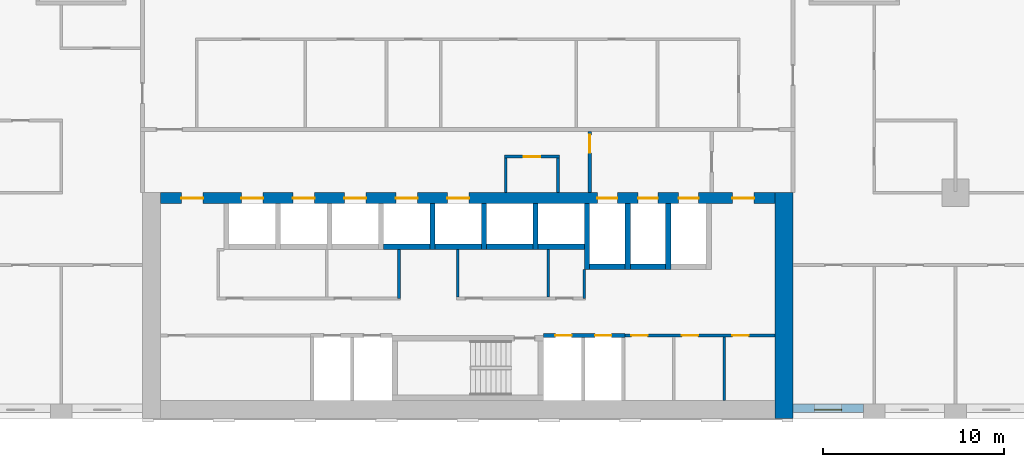
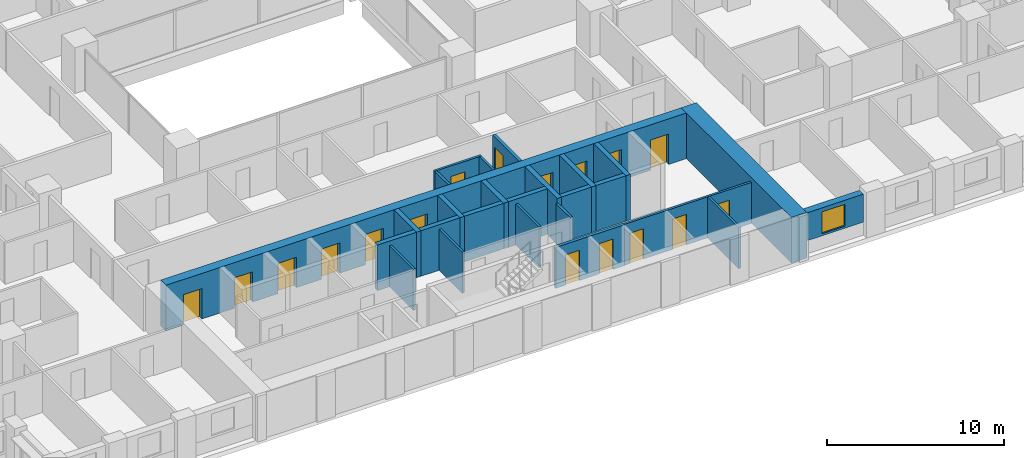
# One storey, part 11 of 20: 26 walls, 17 doors, 1 window, 18 openings.
"""IFC4 building model written with IfcOpenShell, lengths in metres."""

import ifcopenshell
import ifcopenshell.guid

model = None  # the IFC model being written
_history = None  # IfcOwnerHistory: only IFC2X3 demands one
_inside = {}  # id of a spatial element -> (the spatial element, [elements in it])
_under = {}  # id of a project, library or spatial element -> (it, [spatial elements below it])
_declared = {}  # id of a project -> (the project, [libraries it declares])
_typed = {}  # id of a type object -> (the type object, [elements of that type])
_made_of = {}  # id of a material, layer set ... -> (it, [elements and type objects made of it])


def new_model(schema):
    """Start an empty IFC model of exactly this schema.

    Asked for "IFC4X3", IfcOpenShell would pick the latest addendum, in which some entities
    have other attributes; the version numbers below select the first issue.
    IFC2X3 requires an IfcOwnerHistory on every rooted entity: one is made here for all.
    """
    global model, _history
    if schema == "IFC4X3":
        model = ifcopenshell.file(schema_version=(4, 3, 0, 0))
    else:
        model = ifcopenshell.file(schema=schema)
    _inside.clear()
    _under.clear()
    _declared.clear()
    _typed.clear()
    _made_of.clear()
    _history = None
    if model.schema == "IFC2X3":
        org = make("IfcOrganization", Name="unknown")
        user = make(
            "IfcPersonAndOrganization",
            ThePerson=make("IfcPerson", FamilyName="unknown"),
            TheOrganization=org,
        )
        app = make(
            "IfcApplication",
            ApplicationDeveloper=org,
            Version="unknown",
            ApplicationFullName="unknown",
            ApplicationIdentifier="unknown",
        )
        _history = make(
            "IfcOwnerHistory",
            OwningUser=user,
            OwningApplication=app,
            ChangeAction="ADDED",
            CreationDate=0,
        )
    return model


def make(cls, **values):
    """One entity of the class cls with the attributes given. An attribute that is None is left unset."""
    return model.create_entity(
        cls, **{name: value for name, value in values.items() if value is not None}
    )


def rooted(cls, **values):
    """An entity with a GlobalId (a new one), such as an element, a storey or a relation."""
    return make(cls, GlobalId=ifcopenshell.guid.new(), OwnerHistory=_history, **values)


def si_unit(unit_type, name, prefix=None):
    """IfcSIUnit, for example si_unit("LENGTHUNIT", "METRE", prefix="MILLI")."""
    return make("IfcSIUnit", UnitType=unit_type, Prefix=prefix, Name=name)


def assignment(units):
    """IfcUnitAssignment: the units of a project."""
    return None if units is None else make("IfcUnitAssignment", Units=units)


def point(xyz):
    """IfcCartesianPoint."""
    return None if xyz is None else make("IfcCartesianPoint", Coordinates=xyz)


def direction(xyz):
    """IfcDirection."""
    return None if xyz is None else make("IfcDirection", DirectionRatios=xyz)


def frame(location, z_axis=None, x_axis=None):
    """IfcAxis2Placement3D, a coordinate frame: its origin and axes. An axis left out is left unset."""
    return make(
        "IfcAxis2Placement3D",
        Location=point(location),
        Axis=direction(z_axis),
        RefDirection=direction(x_axis),
    )


def frame_2d(location, x_axis=None):
    """IfcAxis2Placement2D, a coordinate frame in the plane: its origin and x axis."""
    return make(
        "IfcAxis2Placement2D", Location=point(location), RefDirection=direction(x_axis)
    )


def origin():
    """The frame at (0, 0, 0) with its axes left unset."""
    return frame((0.0, 0.0, 0.0))


def place(relative_to, where):
    """IfcLocalPlacement: puts the frame where relative to a parent placement (None: the world)."""
    return make(
        "IfcLocalPlacement", PlacementRelTo=relative_to, RelativePlacement=where
    )


def context(
    kind, dimensions, precision=None, world=None, true_north=None, identifier=None
):
    """IfcGeometricRepresentationContext, for example the 3D "Model" context."""
    return make(
        "IfcGeometricRepresentationContext",
        ContextIdentifier=identifier,
        ContextType=kind,
        CoordinateSpaceDimension=dimensions,
        Precision=precision,
        WorldCoordinateSystem=world,
        TrueNorth=true_north,
    )


def subcontext(parent, identifier, kind, view, scale=None):
    """IfcGeometricRepresentationSubContext, for example "Body" below "Model"."""
    return make(
        "IfcGeometricRepresentationSubContext",
        ContextIdentifier=identifier,
        ContextType=kind,
        ParentContext=parent,
        TargetScale=scale,
        TargetView=view,
    )


def project(units=None, contexts=None):
    """IfcProject with its units and contexts."""
    return rooted(
        "IfcProject",
        Name="project",
        RepresentationContexts=contexts,
        UnitsInContext=assignment(units),
    )


def spatial(cls, under=None, at=None, **own):
    """A site, building, storey or space (cls), placed at a placement, below another one or the project."""
    s = rooted(cls, ObjectPlacement=at, **own)
    if under is not None:
        _under.setdefault(under.id(), (under, []))[1].append(s)
    return s


def profile(cls, at=None, kind="AREA", **sizes):
    """A parametric profile (cls). Its sizes go by their IFC names, for example OverallWidth=200.0."""
    return make(cls, ProfileType=kind, Position=at, **sizes)


def rectangle(**sizes):
    """IfcRectangleProfileDef."""
    return profile("IfcRectangleProfileDef", **sizes)


def extrude(swept, where, along, depth):
    """IfcExtrudedAreaSolid: the profile swept, set in the frame where, extruded along a direction by depth."""
    return make(
        "IfcExtrudedAreaSolid",
        SweptArea=swept,
        Position=where,
        ExtrudedDirection=direction(along),
        Depth=depth,
    )


def shape(context_of_items, identifier, shape_type, items):
    """IfcShapeRepresentation: the items that make up one representation, for example the "Body"."""
    return make(
        "IfcShapeRepresentation",
        ContextOfItems=context_of_items,
        RepresentationIdentifier=identifier,
        RepresentationType=shape_type,
        Items=items,
    )


def material(Name=None, Category=None):
    """IfcMaterial."""
    return make("IfcMaterial", Name=Name, Category=Category)


def layer(
    of_material, thickness, ventilated=None, Name=None, Category=None, Priority=None
):
    """IfcMaterialLayer: one layer of a wall or slab, of a material (None: an air gap)."""
    return make(
        "IfcMaterialLayer",
        Material=of_material,
        LayerThickness=thickness,
        IsVentilated=ventilated,
        Name=Name,
        Category=Category,
        Priority=Priority,
    )


def layer_set(layers, Name=None):
    """IfcMaterialLayerSet."""
    return make("IfcMaterialLayerSet", MaterialLayers=layers, LayerSetName=Name)


def made_of(thing, what):
    """Note that an element or type object is made of a material, layer set ...; save() writes the relation."""
    if what is not None:
        _made_of.setdefault(what.id(), (what, []))[1].append(thing)
    return thing


def type_object(cls, material=None, **own):
    """A type object (cls), such as IfcWallType, which elements share."""
    return made_of(rooted(cls, **own), material)


def element(
    cls,
    number,
    at=None,
    inside=None,
    cuts=None,
    type_object=None,
    material=None,
    context=None,
    identifier="Body",
    shape_type=None,
    held_by="IfcProductDefinitionShape",
    body=None,
    shapes=None,
    **own,
):
    """One element of the class cls, such as IfcWall. Its Tag is "e" and its number.

    at: its placement. inside: the storey or other place that contains it. cuts: it is an
    opening in that element (IfcRelVoidsElement). A single representation is given by context,
    identifier, shape_type and body (its items); several are given by shapes. held_by: the class
    of the entity that holds the representations. save() writes the other relations.
    """
    e = rooted(cls, Tag="e%d" % number, ObjectPlacement=at, **own)
    if body is not None:
        shapes = [shape(context, identifier, shape_type, body)]
    if shapes is not None:
        e.Representation = make(held_by, Representations=shapes)
    if inside is not None:
        _inside.setdefault(inside.id(), (inside, []))[1].append(e)
    if cuts is not None:
        rooted(
            "IfcRelVoidsElement", RelatingBuildingElement=cuts, RelatedOpeningElement=e
        )
    if type_object is not None:
        _typed.setdefault(type_object.id(), (type_object, []))[1].append(e)
    return made_of(e, material)


def fill(opening, filler):
    """IfcRelFillsElement: the door or window that sits in an opening."""
    return rooted(
        "IfcRelFillsElement",
        RelatingOpeningElement=opening,
        RelatedBuildingElement=filler,
    )


def aggregate(whole, parts):
    """IfcRelAggregates: a whole, such as a stair, and the parts it consists of."""
    return rooted("IfcRelAggregates", RelatingObject=whole, RelatedObjects=parts)


def save(model, path):
    """Write the relations noted so far, then the file.

    IfcRelAggregates (storeys below a building ...), IfcRelContainedInSpatialStructure (elements
    in a storey), IfcRelDefinesByType, IfcRelAssociatesMaterial and IfcRelDeclares: one each for
    every whole, place, type object, material and project.
    """
    for whole, parts in _under.values():
        aggregate(whole, parts)
    for where, things in _inside.values():
        rooted(
            "IfcRelContainedInSpatialStructure",
            RelatedElements=things,
            RelatingStructure=where,
        )
    for kind, things in _typed.values():
        rooted("IfcRelDefinesByType", RelatedObjects=things, RelatingType=kind)
    for what, things in _made_of.values():
        rooted("IfcRelAssociatesMaterial", RelatedObjects=things, RelatingMaterial=what)
    for by, libraries in _declared.values():
        rooted("IfcRelDeclares", RelatingContext=by, RelatedDefinitions=libraries)
    model.write(path)


model = new_model("IFC4")

# Units and contexts
model_context = context("Model", 3, precision=1e-05, world=origin(), true_north=direction((0.0, 1.0)))
body_context = subcontext(model_context, "Body", "Model", "MODEL_VIEW")
ifc_project = project(units=[si_unit("LENGTHUNIT", "METRE"), si_unit("AREAUNIT", "SQUARE_METRE"), si_unit("VOLUMEUNIT", "CUBIC_METRE"), si_unit("PLANEANGLEUNIT", "RADIAN"), si_unit("MASSUNIT", "GRAM", prefix="KILO")], contexts=[model_context])

# Site, building, storey
site_placement = place(None, origin())
site = spatial("IfcSite", under=ifc_project, at=site_placement, CompositionType="ELEMENT")
building_placement = place(site_placement, origin())
building = spatial("IfcBuilding", under=site, at=building_placement, Name="Brigalow Station Residences", CompositionType="ELEMENT")
storey_placement = place(building_placement, frame((0.0, 0.0, 60.449951171875)))
storey = spatial("IfcBuildingStorey", under=building, at=storey_placement, Name="L17", CompositionType="ELEMENT", Elevation=60.449951171875)

# Wall, opening, window
ifc_material_1 = material(Name="Clay brick masonry", Category="masonry")
ifc_layer_1 = layer(ifc_material_1, 0.449951171875)
ifc_layer_set_1 = layer_set([ifc_layer_1], Name="BRICK INFILL WALL 450")
wall_type_1 = type_object("IfcWallType", Name="BRICK INFILL WALL 450", PredefinedType="SOLIDWALL", material=ifc_layer_set_1)
wall_1_placement = place(storey_placement, frame((54.0, 0.574951171875, 0.900146484375), z_axis=(0.0, 0.0, 1.0), x_axis=(1.0, 0.0, 0.0)))
wall_1 = element("IfcWall", 1, at=wall_1_placement, inside=storey, type_object=wall_type_1, Name="L17/ewall/W-L17-5", PredefinedType="SOLIDWALL", context=body_context, shape_type="SweptSolid", body=[
    extrude(rectangle(XDim=3.89990234375, YDim=0.449951171875, at=frame_2d((1.949951171875, 0.0))), origin(), (0.0, 0.0, 1.0), 1.929931640625),
])
opening_1_placement = place(wall_1_placement, frame((1.199951171875, 0.0, 0.14990234375)))
opening_1 = element("IfcOpeningElement", 2, at=opening_1_placement, cuts=wall_1, Name="Opening WT-1", PredefinedType="OPENING", context=body_context, shape_type="SweptSolid", body=[
    extrude(rectangle(XDim=1.5, YDim=1.5, at=frame_2d((0.75, 0.75))), frame((0.0, 0.23486328125, 0.0), z_axis=(0.0, -1.0, 0.0), x_axis=(1.0, 0.0, 0.0)), (0.0, 0.0, 1.0), 0.469970703125),
])
ifc_material_2 = material(Name="Anodised aluminium frame with double glazing", Category="aluminium")
window_type = type_object("IfcWindowType", Name="WINDOW 1500x1500", PartitioningType="SINGLE_PANEL", PredefinedType="WINDOW", material=ifc_material_2)
window_placement = place(opening_1_placement, origin())
window = element("IfcWindow", 3, at=window_placement, inside=storey, type_object=window_type, Name="L17/window/W-L17-5", OverallHeight=1.5, OverallWidth=1.5, PartitioningType="SINGLE_PANEL", PredefinedType="WINDOW", context=body_context, shape_type="SweptSolid", body=[
    extrude(rectangle(XDim=1.5, YDim=1.5, at=frame_2d((0.75, 0.75))), frame((0.0, -0.06494140625, 0.0), z_axis=(0.0, -1.0, 0.0), x_axis=(1.0, 0.0, 0.0)), (0.0, 0.0, 1.0), 0.06005859375),
])
fill(opening_1, window)

# Walls
ifc_material_3 = material(Name="Concrete C80", Category="concrete")
ifc_layer_2 = layer(ifc_material_3, 1.0)
ifc_layer_set_2 = layer_set([ifc_layer_2], Name="CORE SHEAR WALL 1000 C80")
wall_type_2 = type_object("IfcWallType", Name="CORE SHEAR WALL 1000 C80", PredefinedType="SHEAR", material=ifc_layer_set_2)
wall_2_placement = place(storey_placement, frame((53.5, 0.0, 0.0), z_axis=(0.0, 0.0, 1.0), x_axis=(0.0, 1.0, 0.0)))
element("IfcWall", 4, at=wall_2_placement, inside=storey, type_object=wall_type_2, Name="CORE WALL OUT-E L17", PredefinedType="SHEAR", context=body_context, shape_type="SweptSolid", body=[
    extrude(rectangle(XDim=12.5, YDim=1.0, at=frame_2d((6.25, 0.0))), origin(), (0.0, 0.0, 1.0), 3.150146484375),
])
ifc_material_4 = material(Name="Concrete C80", Category="concrete")
ifc_layer_3 = layer(ifc_material_4, 0.300048828125)
ifc_layer_set_3 = layer_set([ifc_layer_3], Name="CORE SHEAR WALL 300 C80")
wall_type_3 = type_object("IfcWallType", Name="CORE SHEAR WALL 300 C80", PredefinedType="SHEAR", material=ifc_layer_set_3)
wall_3_placement = place(storey_placement, frame((31.35009765625, 9.5, 0.0), z_axis=(0.0, 0.0, 1.0), x_axis=(1.0, 0.0, 0.0)))
element("IfcWall", 5, at=wall_3_placement, inside=storey, type_object=wall_type_3, Name="CORE WALL SH-P4-S L17", PredefinedType="SHEAR", context=body_context, shape_type="SweptSolid", body=[
    extrude(rectangle(XDim=2.5498046875, YDim=0.300048828125, at=frame_2d((1.27490234375, 0.0))), origin(), (0.0, 0.0, 1.0), 3.150146484375),
])
wall_4_placement = place(storey_placement, frame((34.199951171875, 9.5, 0.0), z_axis=(0.0, 0.0, 1.0), x_axis=(1.0, 0.0, 0.0)))
element("IfcWall", 6, at=wall_4_placement, inside=storey, type_object=wall_type_3, Name="CORE WALL SH-P5-S L17", PredefinedType="SHEAR", context=body_context, shape_type="SweptSolid", body=[
    extrude(rectangle(XDim=2.550048828125, YDim=0.300048828125, at=frame_2d((1.27490234375, 0.0))), origin(), (0.0, 0.0, 1.0), 3.150146484375),
])
wall_5_placement = place(storey_placement, frame((34.050048828125, 9.35009765625, 0.0), z_axis=(0.0, 0.0, 1.0), x_axis=(0.0, 1.0, 0.0)))
element("IfcWall", 7, at=wall_5_placement, inside=storey, type_object=wall_type_3, Name="CORE WALL SH-P5-W L17", PredefinedType="SHEAR", context=body_context, shape_type="SweptSolid", body=[
    extrude(rectangle(XDim=2.5498046875, YDim=0.300048828125, at=frame_2d((1.27490234375, 0.0))), origin(), (0.0, 0.0, 1.0), 3.150146484375),
])
wall_6_placement = place(storey_placement, frame((37.050048828125, 9.5, 0.0), z_axis=(0.0, 0.0, 1.0), x_axis=(1.0, 0.0, 0.0)))
element("IfcWall", 8, at=wall_6_placement, inside=storey, type_object=wall_type_3, Name="CORE WALL SH-X1-S L17", PredefinedType="SHEAR", context=body_context, shape_type="SweptSolid", body=[
    extrude(rectangle(XDim=2.550048828125, YDim=0.300048828125, at=frame_2d((1.27490234375, 0.0))), origin(), (0.0, 0.0, 1.0), 3.150146484375),
])
wall_7_placement = place(storey_placement, frame((36.89990234375, 9.35009765625, 0.0), z_axis=(0.0, 0.0, 1.0), x_axis=(0.0, 1.0, 0.0)))
element("IfcWall", 9, at=wall_7_placement, inside=storey, type_object=wall_type_3, Name="CORE WALL SH-X1-W L17", PredefinedType="SHEAR", context=body_context, shape_type="SweptSolid", body=[
    extrude(rectangle(XDim=2.5498046875, YDim=0.300048828125, at=frame_2d((1.27490234375, 0.0))), origin(), (0.0, 0.0, 1.0), 3.150146484375),
])
wall_8_placement = place(storey_placement, frame((39.89990234375, 9.5, 0.0), z_axis=(0.0, 0.0, 1.0), x_axis=(1.0, 0.0, 0.0)))
element("IfcWall", 10, at=wall_8_placement, inside=storey, type_object=wall_type_3, Name="CORE WALL SH-X2-S L17", PredefinedType="SHEAR", context=body_context, shape_type="SweptSolid", body=[
    extrude(rectangle(XDim=2.550048828125, YDim=0.300048828125, at=frame_2d((1.27490234375, 0.0))), origin(), (0.0, 0.0, 1.0), 3.150146484375),
])
wall_9_placement = place(storey_placement, frame((39.75, 9.35009765625, 0.0), z_axis=(0.0, 0.0, 1.0), x_axis=(0.0, 1.0, 0.0)))
element("IfcWall", 11, at=wall_9_placement, inside=storey, type_object=wall_type_3, Name="CORE WALL SH-X2-W L17", PredefinedType="SHEAR", context=body_context, shape_type="SweptSolid", body=[
    extrude(rectangle(XDim=2.5498046875, YDim=0.300048828125, at=frame_2d((1.27490234375, 0.0))), origin(), (0.0, 0.0, 1.0), 3.150146484375),
])
wall_10_placement = place(storey_placement, frame((42.75, 8.39990234375, 0.0), z_axis=(0.0, 0.0, 1.0), x_axis=(1.0, 0.0, 0.0)))
element("IfcWall", 12, at=wall_10_placement, inside=storey, type_object=wall_type_3, Name="CORE WALL SH-FF1-S L17", PredefinedType="SHEAR", context=body_context, shape_type="SweptSolid", body=[
    extrude(rectangle(XDim=1.949951171875, YDim=0.300048828125, at=frame_2d((0.97509765625, 0.0))), origin(), (0.0, 0.0, 1.0), 3.150146484375),
])
wall_11_placement = place(storey_placement, frame((42.60009765625, 8.25, 0.0), z_axis=(0.0, 0.0, 1.0), x_axis=(0.0, 1.0, 0.0)))
element("IfcWall", 13, at=wall_11_placement, inside=storey, type_object=wall_type_3, Name="CORE WALL SH-FF1-W L17", PredefinedType="SHEAR", context=body_context, shape_type="SweptSolid", body=[
    extrude(rectangle(XDim=3.64990234375, YDim=0.300048828125, at=frame_2d((1.824951171875, 0.0))), origin(), (0.0, 0.0, 1.0), 3.150146484375),
])
wall_12_placement = place(storey_placement, frame((45.0, 8.39990234375, 0.0), z_axis=(0.0, 0.0, 1.0), x_axis=(1.0, 0.0, 0.0)))
element("IfcWall", 14, at=wall_12_placement, inside=storey, type_object=wall_type_3, Name="CORE WALL SH-FF2-S L17", PredefinedType="SHEAR", context=body_context, shape_type="SweptSolid", body=[
    extrude(rectangle(XDim=1.949951171875, YDim=0.300048828125, at=frame_2d((0.97509765625, 0.0))), origin(), (0.0, 0.0, 1.0), 3.150146484375),
])
for number, where, z_axis, x_axis, name in (
    (15, (44.85009765625, 8.25, 0.0), (0.0, 0.0, 1.0), (0.0, 1.0, 0.0), "CORE WALL SH-FF2-W L17"),
    (16, (47.10009765625, 8.25, 0.0), (0.0, 0.0, 1.0), (0.0, 1.0, 0.0), "CORE WALL SH-SL1-W L17"),
):
    element("IfcWall", number, at=place(storey_placement, frame(where, z_axis=z_axis, x_axis=x_axis)), inside=storey, type_object=wall_type_3, Name=name, PredefinedType="SHEAR", context=body_context, shape_type="SweptSolid", body=[
        extrude(rectangle(XDim=3.64990234375, YDim=0.300048828125, at=frame_2d((1.824951171875, 0.0))), origin(), (0.0, 0.0, 1.0), 3.150146484375),
    ])

# Wall, openings, doors
ifc_material_5 = material(Name="Concrete C80", Category="concrete")
ifc_layer_4 = layer(ifc_material_5, 0.60009765625)
ifc_layer_set_4 = layer_set([ifc_layer_4], Name="CORE SHEAR WALL 600 C80")
wall_type_4 = type_object("IfcWallType", Name="CORE SHEAR WALL 600 C80", PredefinedType="SHEAR", material=ifc_layer_set_4)
wall_13_placement = place(storey_placement, frame((19.0, 12.199951171875, 0.0), z_axis=(0.0, 0.0, 1.0), x_axis=(1.0, 0.0, 0.0)))
wall_13 = element("IfcWall", 17, at=wall_13_placement, inside=storey, type_object=wall_type_4, Name="CORE WALL OUT-N L17", PredefinedType="SHEAR", context=body_context, shape_type="SweptSolid", body=[
    extrude(rectangle(XDim=34.0, YDim=0.60009765625, at=frame_2d((17.0, 0.0))), origin(), (0.0, 0.0, 1.0), 3.150146484375),
])
opening_2_placement = place(wall_13_placement, frame((4.47509765625, 0.0, 0.0)))
opening_2 = element("IfcOpeningElement", 18, at=opening_2_placement, cuts=wall_13, Name="Opening LD-LA1", PredefinedType="OPENING", context=body_context, shape_type="SweptSolid", body=[
    extrude(rectangle(XDim=1.199951171875, YDim=2.10009765625, at=frame_2d((0.60009765625, 1.050048828125))), frame((0.0, 0.31005859375, 0.0), z_axis=(0.0, -1.0, 0.0), x_axis=(1.0, 0.0, 0.0)), (0.0, 0.0, 1.0), 0.6201171875),
])
opening_3_placement = place(wall_13_placement, frame((7.324951171875, 0.0, 0.0)))
opening_3 = element("IfcOpeningElement", 19, at=opening_3_placement, cuts=wall_13, Name="Opening LD-LA2", PredefinedType="OPENING", context=body_context, shape_type="SweptSolid", body=[
    extrude(rectangle(XDim=1.199951171875, YDim=2.10009765625, at=frame_2d((0.60009765625, 1.050048828125))), frame((0.0, 0.31005859375, 0.0), z_axis=(0.0, -1.0, 0.0), x_axis=(1.0, 0.0, 0.0)), (0.0, 0.0, 1.0), 0.6201171875),
])
opening_4_placement = place(wall_13_placement, frame((10.175048828125, 0.0, 0.0)))
opening_4 = element("IfcOpeningElement", 20, at=opening_4_placement, cuts=wall_13, Name="Opening LD-LA3", PredefinedType="OPENING", context=body_context, shape_type="SweptSolid", body=[
    extrude(rectangle(XDim=1.199951171875, YDim=2.10009765625, at=frame_2d((0.60009765625, 1.050048828125))), frame((0.0, 0.31005859375, 0.0), z_axis=(0.0, -1.0, 0.0), x_axis=(1.0, 0.0, 0.0)), (0.0, 0.0, 1.0), 0.6201171875),
])
opening_5_placement = place(wall_13_placement, frame((13.02490234375, 0.0, 0.0)))
opening_5 = element("IfcOpeningElement", 21, at=opening_5_placement, cuts=wall_13, Name="Opening LD-LA4", PredefinedType="OPENING", context=body_context, shape_type="SweptSolid", body=[
    extrude(rectangle(XDim=1.199951171875, YDim=2.10009765625, at=frame_2d((0.60009765625, 1.050048828125))), frame((0.0, 0.31005859375, 0.0), z_axis=(0.0, -1.0, 0.0), x_axis=(1.0, 0.0, 0.0)), (0.0, 0.0, 1.0), 0.6201171875),
])
opening_6_placement = place(wall_13_placement, frame((15.875, 0.0, 0.0)))
opening_6 = element("IfcOpeningElement", 22, at=opening_6_placement, cuts=wall_13, Name="Opening LD-LA5", PredefinedType="OPENING", context=body_context, shape_type="SweptSolid", body=[
    extrude(rectangle(XDim=1.199951171875, YDim=2.10009765625, at=frame_2d((0.60009765625, 1.050048828125))), frame((0.0, 0.31005859375, 0.0), z_axis=(0.0, -1.0, 0.0), x_axis=(1.0, 0.0, 0.0)), (0.0, 0.0, 1.0), 0.6201171875),
])
opening_7_placement = place(wall_13_placement, frame((24.175048828125, 0.0, 0.0)))
opening_7 = element("IfcOpeningElement", 23, at=opening_7_placement, cuts=wall_13, Name="Opening LD-LF1", PredefinedType="OPENING", context=body_context, shape_type="SweptSolid", body=[
    extrude(rectangle(XDim=1.10009765625, YDim=2.10009765625, at=frame_2d((0.550048828125, 1.050048828125))), frame((0.0, 0.31005859375, 0.0), z_axis=(0.0, -1.0, 0.0), x_axis=(1.0, 0.0, 0.0)), (0.0, 0.0, 1.0), 0.6201171875),
])
opening_8_placement = place(wall_13_placement, frame((26.425048828125, 0.0, 0.0)))
opening_8 = element("IfcOpeningElement", 24, at=opening_8_placement, cuts=wall_13, Name="Opening LD-LF2", PredefinedType="OPENING", context=body_context, shape_type="SweptSolid", body=[
    extrude(rectangle(XDim=1.10009765625, YDim=2.10009765625, at=frame_2d((0.550048828125, 1.050048828125))), frame((0.0, 0.31005859375, 0.0), z_axis=(0.0, -1.0, 0.0), x_axis=(1.0, 0.0, 0.0)), (0.0, 0.0, 1.0), 0.6201171875),
])
opening_9_placement = place(wall_13_placement, frame((28.675048828125, 0.0, 0.0)))
opening_9 = element("IfcOpeningElement", 25, at=opening_9_placement, cuts=wall_13, Name="Opening LD-LG1", PredefinedType="OPENING", context=body_context, shape_type="SweptSolid", body=[
    extrude(rectangle(XDim=1.10009765625, YDim=2.10009765625, at=frame_2d((0.550048828125, 1.050048828125))), frame((0.0, 0.31005859375, 0.0), z_axis=(0.0, -1.0, 0.0), x_axis=(1.0, 0.0, 0.0)), (0.0, 0.0, 1.0), 0.6201171875),
])
opening_10_placement = place(wall_13_placement, frame((1.14990234375, 0.0, 0.0)))
opening_10 = element("IfcOpeningElement", 26, at=opening_10_placement, cuts=wall_13, Name="Opening D-5011", PredefinedType="OPENING", context=body_context, shape_type="SweptSolid", body=[
    extrude(rectangle(XDim=1.199951171875, YDim=2.10009765625, at=frame_2d((0.60009765625, 1.050048828125))), frame((0.0, 0.31005859375, 0.0), z_axis=(0.0, -1.0, 0.0), x_axis=(1.0, 0.0, 0.0)), (0.0, 0.0, 1.0), 0.6201171875),
])
opening_11_placement = place(wall_13_placement, frame((31.64990234375, 0.0, 0.0)))
opening_11 = element("IfcOpeningElement", 27, at=opening_11_placement, cuts=wall_13, Name="Opening D-5012", PredefinedType="OPENING", context=body_context, shape_type="SweptSolid", body=[
    extrude(rectangle(XDim=1.199951171875, YDim=2.10009765625, at=frame_2d((0.60009765625, 1.050048828125))), frame((0.0, 0.31005859375, 0.0), z_axis=(0.0, -1.0, 0.0), x_axis=(1.0, 0.0, 0.0)), (0.0, 0.0, 1.0), 0.6201171875),
])
ifc_material_6 = material(Name="Steel fire door leaf in steel frame", Category="steel")
door_type_1 = type_object("IfcDoorType", Name="CORE CORRIDOR DOOR 1200 x 2100 FD60S", OperationType="SINGLE_SWING_LEFT", PredefinedType="DOOR", material=ifc_material_6)
door_1_placement = place(opening_10_placement, frame((1.199951171875, 0.0, 0.0), z_axis=(0.0, 0.0, 1.0), x_axis=(-1.0, 0.0, 0.0)))
door_1 = element("IfcDoor", 28, at=door_1_placement, inside=storey, type_object=door_type_1, Name="D-5011", OperationType="SINGLE_SWING_LEFT", OverallHeight=2.10009765625, OverallWidth=1.199951171875, PredefinedType="DOOR", context=body_context, shape_type="SweptSolid", body=[
    extrude(rectangle(XDim=1.199951171875, YDim=2.10009765625, at=frame_2d((0.60009765625, 1.050048828125))), frame((0.0, 0.02490234375, 0.0), z_axis=(0.0, -1.0, 0.0), x_axis=(1.0, 0.0, 0.0)), (0.0, 0.0, 1.0), 0.050048828125),
])
fill(opening_10, door_1)
door_2_placement = place(opening_11_placement, frame((1.199951171875, 0.0, 0.0), z_axis=(0.0, 0.0, 1.0), x_axis=(-1.0, 0.0, 0.0)))
door_2 = element("IfcDoor", 29, at=door_2_placement, inside=storey, type_object=door_type_1, Name="D-5012", OperationType="SINGLE_SWING_RIGHT", OverallHeight=2.10009765625, OverallWidth=1.199951171875, PredefinedType="DOOR", context=body_context, shape_type="SweptSolid", body=[
    extrude(rectangle(XDim=1.199951171875, YDim=2.10009765625, at=frame_2d((0.60009765625, 1.050048828125))), frame((0.0, 0.02490234375, 0.0), z_axis=(0.0, -1.0, 0.0), x_axis=(1.0, 0.0, 0.0)), (0.0, 0.0, 1.0), 0.050048828125),
])
fill(opening_11, door_2)
ifc_material_7 = material(Name="Stainless steel sliding door leaves", Category="steel")
door_type_2 = type_object("IfcDoorType", Name="LIFT LANDING DOOR 1100 x 2100", OperationType="DOUBLE_DOOR_SLIDING", PredefinedType="DOOR", material=ifc_material_7)
door_3_placement = place(opening_7_placement, origin())
door_3 = element("IfcDoor", 30, at=door_3_placement, inside=storey, type_object=door_type_2, Name="LANDING DOOR LF1", OperationType="DOUBLE_DOOR_SLIDING", OverallHeight=2.10009765625, OverallWidth=1.10009765625, PredefinedType="DOOR", context=body_context, shape_type="SweptSolid", body=[
    extrude(rectangle(XDim=1.10009765625, YDim=2.10009765625, at=frame_2d((0.550048828125, 1.050048828125))), frame((0.0, 0.02490234375, 0.0), z_axis=(0.0, -1.0, 0.0), x_axis=(1.0, 0.0, 0.0)), (0.0, 0.0, 1.0), 0.050048828125),
])
fill(opening_7, door_3)
door_4_placement = place(opening_8_placement, origin())
door_4 = element("IfcDoor", 31, at=door_4_placement, inside=storey, type_object=door_type_2, Name="LANDING DOOR LF2", OperationType="DOUBLE_DOOR_SLIDING", OverallHeight=2.10009765625, OverallWidth=1.10009765625, PredefinedType="DOOR", context=body_context, shape_type="SweptSolid", body=[
    extrude(rectangle(XDim=1.10009765625, YDim=2.10009765625, at=frame_2d((0.550048828125, 1.050048828125))), frame((0.0, 0.02490234375, 0.0), z_axis=(0.0, -1.0, 0.0), x_axis=(1.0, 0.0, 0.0)), (0.0, 0.0, 1.0), 0.050048828125),
])
fill(opening_8, door_4)
door_5_placement = place(opening_9_placement, origin())
door_5 = element("IfcDoor", 32, at=door_5_placement, inside=storey, type_object=door_type_2, Name="LANDING DOOR LG1", OperationType="DOUBLE_DOOR_SLIDING", OverallHeight=2.10009765625, OverallWidth=1.10009765625, PredefinedType="DOOR", context=body_context, shape_type="SweptSolid", body=[
    extrude(rectangle(XDim=1.10009765625, YDim=2.10009765625, at=frame_2d((0.550048828125, 1.050048828125))), frame((0.0, 0.02490234375, 0.0), z_axis=(0.0, -1.0, 0.0), x_axis=(1.0, 0.0, 0.0)), (0.0, 0.0, 1.0), 0.050048828125),
])
fill(opening_9, door_5)
ifc_material_8 = material(Name="Stainless steel sliding door leaves", Category="steel")
door_type_3 = type_object("IfcDoorType", Name="LIFT LANDING DOOR 1200 x 2100", OperationType="DOUBLE_DOOR_SLIDING", PredefinedType="DOOR", material=ifc_material_8)
door_6_placement = place(opening_2_placement, origin())
door_6 = element("IfcDoor", 33, at=door_6_placement, inside=storey, type_object=door_type_3, Name="LANDING DOOR LA1", OperationType="DOUBLE_DOOR_SLIDING", OverallHeight=2.10009765625, OverallWidth=1.199951171875, PredefinedType="DOOR", context=body_context, shape_type="SweptSolid", body=[
    extrude(rectangle(XDim=1.199951171875, YDim=2.10009765625, at=frame_2d((0.60009765625, 1.050048828125))), frame((0.0, 0.02490234375, 0.0), z_axis=(0.0, -1.0, 0.0), x_axis=(1.0, 0.0, 0.0)), (0.0, 0.0, 1.0), 0.050048828125),
])
fill(opening_2, door_6)
door_7_placement = place(opening_3_placement, origin())
door_7 = element("IfcDoor", 34, at=door_7_placement, inside=storey, type_object=door_type_3, Name="LANDING DOOR LA2", OperationType="DOUBLE_DOOR_SLIDING", OverallHeight=2.10009765625, OverallWidth=1.199951171875, PredefinedType="DOOR", context=body_context, shape_type="SweptSolid", body=[
    extrude(rectangle(XDim=1.199951171875, YDim=2.10009765625, at=frame_2d((0.60009765625, 1.050048828125))), frame((0.0, 0.02490234375, 0.0), z_axis=(0.0, -1.0, 0.0), x_axis=(1.0, 0.0, 0.0)), (0.0, 0.0, 1.0), 0.050048828125),
])
fill(opening_3, door_7)
door_8_placement = place(opening_4_placement, origin())
door_8 = element("IfcDoor", 35, at=door_8_placement, inside=storey, type_object=door_type_3, Name="LANDING DOOR LA3", OperationType="DOUBLE_DOOR_SLIDING", OverallHeight=2.10009765625, OverallWidth=1.199951171875, PredefinedType="DOOR", context=body_context, shape_type="SweptSolid", body=[
    extrude(rectangle(XDim=1.199951171875, YDim=2.10009765625, at=frame_2d((0.60009765625, 1.050048828125))), frame((0.0, 0.02490234375, 0.0), z_axis=(0.0, -1.0, 0.0), x_axis=(1.0, 0.0, 0.0)), (0.0, 0.0, 1.0), 0.050048828125),
])
fill(opening_4, door_8)
door_9_placement = place(opening_5_placement, origin())
door_9 = element("IfcDoor", 36, at=door_9_placement, inside=storey, type_object=door_type_3, Name="LANDING DOOR LA4", OperationType="DOUBLE_DOOR_SLIDING", OverallHeight=2.10009765625, OverallWidth=1.199951171875, PredefinedType="DOOR", context=body_context, shape_type="SweptSolid", body=[
    extrude(rectangle(XDim=1.199951171875, YDim=2.10009765625, at=frame_2d((0.60009765625, 1.050048828125))), frame((0.0, 0.02490234375, 0.0), z_axis=(0.0, -1.0, 0.0), x_axis=(1.0, 0.0, 0.0)), (0.0, 0.0, 1.0), 0.050048828125),
])
fill(opening_5, door_9)
door_10_placement = place(opening_6_placement, origin())
door_10 = element("IfcDoor", 37, at=door_10_placement, inside=storey, type_object=door_type_3, Name="LANDING DOOR LA5", OperationType="DOUBLE_DOOR_SLIDING", OverallHeight=2.10009765625, OverallWidth=1.199951171875, PredefinedType="DOOR", context=body_context, shape_type="SweptSolid", body=[
    extrude(rectangle(XDim=1.199951171875, YDim=2.10009765625, at=frame_2d((0.60009765625, 1.050048828125))), frame((0.0, 0.02490234375, 0.0), z_axis=(0.0, -1.0, 0.0), x_axis=(1.0, 0.0, 0.0)), (0.0, 0.0, 1.0), 0.050048828125),
])
fill(opening_6, door_10)

ifc_material_9 = material(Name="Concrete blockwork", Category="masonry")
ifc_layer_5 = layer(ifc_material_9, 0.199951171875)
ifc_layer_set_5 = layer_set([ifc_layer_5], Name="FIRE RATED CORE PARTITION 200")
wall_type_5 = type_object("IfcWallType", Name="FIRE RATED CORE PARTITION 200", PredefinedType="PARTITIONING", material=ifc_layer_set_5)
wall_14_placement = place(storey_placement, frame((40.199951171875, 4.60009765625, 0.0), z_axis=(0.0, 0.0, 1.0), x_axis=(1.0, 0.0, 0.0)))
wall_14 = element("IfcWall", 38, at=wall_14_placement, inside=storey, type_object=wall_type_5, Name="PW-5018", PredefinedType="PARTITIONING", context=body_context, shape_type="SweptSolid", body=[
    extrude(rectangle(XDim=4.5, YDim=0.199951171875, at=frame_2d((2.25, 0.0))), origin(), (0.0, 0.0, 1.0), 2.830078125),
])
opening_12_placement = place(wall_14_placement, frame((0.64990234375, 0.0, 0.0)))
opening_12 = element("IfcOpeningElement", 39, at=opening_12_placement, cuts=wall_14, Name="Opening D-5009", PredefinedType="OPENING", context=body_context, shape_type="SweptSolid", body=[
    extrude(rectangle(XDim=0.89990234375, YDim=2.10009765625, at=frame_2d((0.449951171875, 1.050048828125))), frame((0.0, 0.10986328125, 0.0), z_axis=(0.0, -1.0, 0.0), x_axis=(1.0, 0.0, 0.0)), (0.0, 0.0, 1.0), 0.219970703125),
])
opening_13_placement = place(wall_14_placement, frame((2.85009765625, 0.0, 0.0)))
opening_13 = element("IfcOpeningElement", 40, at=opening_13_placement, cuts=wall_14, Name="Opening D-5010", PredefinedType="OPENING", context=body_context, shape_type="SweptSolid", body=[
    extrude(rectangle(XDim=0.89990234375, YDim=2.10009765625, at=frame_2d((0.449951171875, 1.050048828125))), frame((0.0, 0.10986328125, 0.0), z_axis=(0.0, -1.0, 0.0), x_axis=(1.0, 0.0, 0.0)), (0.0, 0.0, 1.0), 0.219970703125),
])
ifc_material_10 = material(Name="Steel fire door leaf in steel frame", Category="steel")
door_type_4 = type_object("IfcDoorType", Name="RISER ACCESS DOOR 900 x 2100 FD120", OperationType="SINGLE_SWING_LEFT", PredefinedType="DOOR", material=ifc_material_10)
door_11_placement = place(opening_12_placement, frame((0.89990234375, 0.0, 0.0), z_axis=(0.0, 0.0, 1.0), x_axis=(-1.0, 0.0, 0.0)))
door_11 = element("IfcDoor", 41, at=door_11_placement, inside=storey, type_object=door_type_4, Name="D-5009", OperationType="SINGLE_SWING_LEFT", OverallHeight=2.10009765625, OverallWidth=0.89990234375, PredefinedType="DOOR", context=body_context, shape_type="SweptSolid", body=[
    extrude(rectangle(XDim=0.89990234375, YDim=2.10009765625, at=frame_2d((0.449951171875, 1.050048828125))), frame((0.0, 0.02490234375, 0.0), z_axis=(0.0, -1.0, 0.0), x_axis=(1.0, 0.0, 0.0)), (0.0, 0.0, 1.0), 0.050048828125),
])
fill(opening_12, door_11)
door_12_placement = place(opening_13_placement, frame((0.89990234375, 0.0, 0.0), z_axis=(0.0, 0.0, 1.0), x_axis=(-1.0, 0.0, 0.0)))
door_12 = element("IfcDoor", 42, at=door_12_placement, inside=storey, type_object=door_type_4, Name="D-5010", OperationType="SINGLE_SWING_LEFT", OverallHeight=2.10009765625, OverallWidth=0.89990234375, PredefinedType="DOOR", context=body_context, shape_type="SweptSolid", body=[
    extrude(rectangle(XDim=0.89990234375, YDim=2.10009765625, at=frame_2d((0.449951171875, 1.050048828125))), frame((0.0, 0.02490234375, 0.0), z_axis=(0.0, -1.0, 0.0), x_axis=(1.0, 0.0, 0.0)), (0.0, 0.0, 1.0), 0.050048828125),
])
fill(opening_13, door_12)

# Wall, opening, door
wall_15_placement = place(storey_placement, frame((42.75, 12.5, 0.0), z_axis=(0.0, 0.0, 1.0), x_axis=(0.0, 1.0, 0.0)))
wall_15 = element("IfcWall", 43, at=wall_15_placement, inside=storey, type_object=wall_type_5, Name="PW-5014", PredefinedType="PARTITIONING", context=body_context, shape_type="SweptSolid", body=[
    extrude(rectangle(XDim=3.39990234375, YDim=0.199951171875, at=frame_2d((1.699951171875, 0.0))), origin(), (0.0, 0.0, 1.0), 2.830078125),
])
opening_14_placement = place(wall_15_placement, frame((2.199951171875, 0.0, 0.0)))
opening_14 = element("IfcOpeningElement", 44, at=opening_14_placement, cuts=wall_15, Name="Opening D-5013", PredefinedType="OPENING", context=body_context, shape_type="SweptSolid", body=[
    extrude(rectangle(XDim=1.0, YDim=2.10009765625, at=frame_2d((0.5, 1.050048828125))), frame((0.0, 0.10986328125, 0.0), z_axis=(0.0, -1.0, 0.0), x_axis=(1.0, 0.0, 0.0)), (0.0, 0.0, 1.0), 0.219970703125),
])
ifc_material_11 = material(Name="Steel fire door leaf in steel frame", Category="steel")
door_type_5 = type_object("IfcDoorType", Name="LOBBY DOOR 1000 x 2100 FD60S", OperationType="SINGLE_SWING_LEFT", PredefinedType="DOOR", material=ifc_material_11)
door_13_placement = place(opening_14_placement, origin())
door_13 = element("IfcDoor", 45, at=door_13_placement, inside=storey, type_object=door_type_5, Name="D-5013", OperationType="SINGLE_SWING_RIGHT", OverallHeight=2.10009765625, OverallWidth=1.0, PredefinedType="DOOR", context=body_context, shape_type="SweptSolid", body=[
    extrude(rectangle(XDim=1.0, YDim=2.10009765625, at=frame_2d((0.5, 1.050048828125))), frame((0.0, 0.02490234375, 0.0), z_axis=(0.0, -1.0, 0.0), x_axis=(1.0, 0.0, 0.0)), (0.0, 0.0, 1.0), 0.050048828125),
])
fill(opening_14, door_13)

# Wall, openings, doors
ifc_material_12 = material(Name="Plasterboard on steel studs", Category="steel")
ifc_layer_6 = layer(ifc_material_12, 0.14990234375)
ifc_layer_set_6 = layer_set([ifc_layer_6], Name="SERVICE ROOM PARTITION 150")
wall_type_6 = type_object("IfcWallType", Name="SERVICE ROOM PARTITION 150", PredefinedType="PARTITIONING", material=ifc_layer_set_6)
wall_16_placement = place(storey_placement, frame((44.699951171875, 4.60009765625, 0.0), z_axis=(0.0, 0.0, 1.0), x_axis=(1.0, 0.0, 0.0)))
wall_16 = element("IfcWall", 46, at=wall_16_placement, inside=storey, type_object=wall_type_6, Name="PW-5020", PredefinedType="PARTITIONING", context=body_context, shape_type="SweptSolid", body=[
    extrude(rectangle(XDim=8.300048828125, YDim=0.14990234375, at=frame_2d((4.14990234375, 0.0))), origin(), (0.0, 0.0, 1.0), 2.830078125),
])
opening_15_placement = place(wall_16_placement, frame((0.35009765625, 0.0, 0.0)))
opening_15 = element("IfcOpeningElement", 47, at=opening_15_placement, cuts=wall_16, Name="Opening D-5026", PredefinedType="OPENING", context=body_context, shape_type="SweptSolid", body=[
    extrude(rectangle(XDim=0.89990234375, YDim=2.10009765625, at=frame_2d((0.449951171875, 1.050048828125))), frame((0.0, 0.0849609375, 0.0), z_axis=(0.0, -1.0, 0.0), x_axis=(1.0, 0.0, 0.0)), (0.0, 0.0, 1.0), 0.169921875),
])
opening_16_placement = place(wall_16_placement, frame((3.14990234375, 0.0, 0.0)))
opening_16 = element("IfcOpeningElement", 48, at=opening_16_placement, cuts=wall_16, Name="Opening D-5085", PredefinedType="OPENING", context=body_context, shape_type="SweptSolid", body=[
    extrude(rectangle(XDim=0.89990234375, YDim=2.10009765625, at=frame_2d((0.449951171875, 1.050048828125))), frame((0.0, 0.0849609375, 0.0), z_axis=(0.0, -1.0, 0.0), x_axis=(1.0, 0.0, 0.0)), (0.0, 0.0, 1.0), 0.169921875),
])
opening_17_placement = place(wall_16_placement, frame((5.949951171875, 0.0, 0.0)))
opening_17 = element("IfcOpeningElement", 49, at=opening_17_placement, cuts=wall_16, Name="Opening D-5086", PredefinedType="OPENING", context=body_context, shape_type="SweptSolid", body=[
    extrude(rectangle(XDim=0.89990234375, YDim=2.10009765625, at=frame_2d((0.449951171875, 1.050048828125))), frame((0.0, 0.0849609375, 0.0), z_axis=(0.0, -1.0, 0.0), x_axis=(1.0, 0.0, 0.0)), (0.0, 0.0, 1.0), 0.169921875),
])
ifc_material_13 = material(Name="Steel door leaf in steel frame", Category="steel")
door_type_6 = type_object("IfcDoorType", Name="SERVICE ROOM DOOR 900 x 2100 FD60", OperationType="SINGLE_SWING_LEFT", PredefinedType="DOOR", material=ifc_material_13)
door_14_placement = place(opening_15_placement, frame((0.89990234375, 0.0, 0.0), z_axis=(0.0, 0.0, 1.0), x_axis=(-1.0, 0.0, 0.0)))
door_14 = element("IfcDoor", 50, at=door_14_placement, inside=storey, type_object=door_type_6, Name="D-5026", OperationType="SINGLE_SWING_RIGHT", OverallHeight=2.10009765625, OverallWidth=0.89990234375, PredefinedType="DOOR", context=body_context, shape_type="SweptSolid", body=[
    extrude(rectangle(XDim=0.89990234375, YDim=2.10009765625, at=frame_2d((0.449951171875, 1.050048828125))), frame((0.0, 0.02490234375, 0.0), z_axis=(0.0, -1.0, 0.0), x_axis=(1.0, 0.0, 0.0)), (0.0, 0.0, 1.0), 0.050048828125),
])
fill(opening_15, door_14)
door_15_placement = place(opening_16_placement, frame((0.89990234375, 0.0, 0.0), z_axis=(0.0, 0.0, 1.0), x_axis=(-1.0, 0.0, 0.0)))
door_15 = element("IfcDoor", 51, at=door_15_placement, inside=storey, type_object=door_type_6, Name="D-5085", OperationType="SINGLE_SWING_RIGHT", OverallHeight=2.10009765625, OverallWidth=0.89990234375, PredefinedType="DOOR", context=body_context, shape_type="SweptSolid", body=[
    extrude(rectangle(XDim=0.89990234375, YDim=2.10009765625, at=frame_2d((0.449951171875, 1.050048828125))), frame((0.0, 0.02490234375, 0.0), z_axis=(0.0, -1.0, 0.0), x_axis=(1.0, 0.0, 0.0)), (0.0, 0.0, 1.0), 0.050048828125),
])
fill(opening_16, door_15)
door_16_placement = place(opening_17_placement, frame((0.89990234375, 0.0, 0.0), z_axis=(0.0, 0.0, 1.0), x_axis=(-1.0, 0.0, 0.0)))
door_16 = element("IfcDoor", 52, at=door_16_placement, inside=storey, type_object=door_type_6, Name="D-5086", OperationType="SINGLE_SWING_RIGHT", OverallHeight=2.10009765625, OverallWidth=0.89990234375, PredefinedType="DOOR", context=body_context, shape_type="SweptSolid", body=[
    extrude(rectangle(XDim=0.89990234375, YDim=2.10009765625, at=frame_2d((0.449951171875, 1.050048828125))), frame((0.0, 0.02490234375, 0.0), z_axis=(0.0, -1.0, 0.0), x_axis=(1.0, 0.0, 0.0)), (0.0, 0.0, 1.0), 0.050048828125),
])
fill(opening_17, door_16)

# Wall, opening, door
wall_17_placement = place(storey_placement, frame((38.02490234375, 14.5, 0.0), z_axis=(0.0, 0.0, 1.0), x_axis=(1.0, 0.0, 0.0)))
wall_17 = element("IfcWall", 53, at=wall_17_placement, inside=storey, type_object=wall_type_6, Name="PW-5138", PredefinedType="PARTITIONING", context=body_context, shape_type="SweptSolid", body=[
    extrude(rectangle(XDim=3.050048828125, YDim=0.14990234375, at=frame_2d((1.52490234375, 0.0))), origin(), (0.0, 0.0, 1.0), 2.830078125),
])
opening_18_placement = place(wall_17_placement, frame((1.074951171875, 0.0, 0.0)))
opening_18 = element("IfcOpeningElement", 54, at=opening_18_placement, cuts=wall_17, Name="Opening D-5079", PredefinedType="OPENING", context=body_context, shape_type="SweptSolid", body=[
    extrude(rectangle(XDim=0.89990234375, YDim=2.10009765625, at=frame_2d((0.449951171875, 1.050048828125))), frame((0.0, 0.0849609375, 0.0), z_axis=(0.0, -1.0, 0.0), x_axis=(1.0, 0.0, 0.0)), (0.0, 0.0, 1.0), 0.169921875),
])
door_17_placement = place(opening_18_placement, frame((0.89990234375, 0.0, 0.0), z_axis=(0.0, 0.0, 1.0), x_axis=(-1.0, 0.0, 0.0)))
door_17 = element("IfcDoor", 55, at=door_17_placement, inside=storey, type_object=door_type_6, Name="D-5079", OperationType="SINGLE_SWING_RIGHT", OverallHeight=2.10009765625, OverallWidth=0.89990234375, PredefinedType="DOOR", context=body_context, shape_type="SweptSolid", body=[
    extrude(rectangle(XDim=0.89990234375, YDim=2.10009765625, at=frame_2d((0.449951171875, 1.050048828125))), frame((0.0, 0.02490234375, 0.0), z_axis=(0.0, -1.0, 0.0), x_axis=(1.0, 0.0, 0.0)), (0.0, 0.0, 1.0), 0.050048828125),
])
fill(opening_18, door_17)

# Walls
wall_18_placement = place(storey_placement, frame((50.199951171875, 1.0, 0.0), z_axis=(0.0, 0.0, 1.0), x_axis=(0.0, 1.0, 0.0)))
element("IfcWall", 56, at=wall_18_placement, inside=storey, type_object=wall_type_6, Name="PW-5151", PredefinedType="PARTITIONING", context=body_context, shape_type="SweptSolid", body=[
    extrude(rectangle(XDim=3.52490234375, YDim=0.14990234375, at=frame_2d((1.762451171875, 0.0))), origin(), (0.0, 0.0, 1.0), 2.830078125),
])
wall_19_placement = place(storey_placement, frame((32.199951171875, 6.64990234375, 0.0), z_axis=(0.0, 0.0, 1.0), x_axis=(0.0, 1.0, 0.0)))
element("IfcWall", 57, at=wall_19_placement, inside=storey, type_object=wall_type_6, Name="PW-5152", PredefinedType="PARTITIONING", context=body_context, shape_type="SweptSolid", body=[
    extrude(rectangle(XDim=2.7001953125, YDim=0.14990234375, at=frame_2d((1.35009765625, 0.0))), origin(), (0.0, 0.0, 1.0), 2.830078125),
])
wall_20_placement = place(storey_placement, frame((42.449951171875, 6.64990234375, 0.0), z_axis=(0.0, 0.0, 1.0), x_axis=(0.0, 1.0, 0.0)))
element("IfcWall", 58, at=wall_20_placement, inside=storey, type_object=wall_type_6, Name="PW-5029", PredefinedType="PARTITIONING", context=body_context, shape_type="SweptSolid", body=[
    extrude(rectangle(XDim=1.60009765625, YDim=0.14990234375, at=frame_2d((0.800048828125, 0.0))), origin(), (0.0, 0.0, 1.0), 2.830078125),
])
for number, where, z_axis, x_axis, name in (
    (59, (35.449951171875, 6.72509765625, 0.0), (0.0, 0.0, 1.0), (0.0, 1.0, 0.0), "PW-5154"),
    (60, (40.449951171875, 6.72509765625, 0.0), (0.0, 0.0, 1.0), (0.0, 1.0, 0.0), "PW-5044"),
):
    element("IfcWall", number, at=place(storey_placement, frame(where, z_axis=z_axis, x_axis=x_axis)), inside=storey, type_object=wall_type_6, Name=name, PredefinedType="PARTITIONING", context=body_context, shape_type="SweptSolid", body=[
        extrude(rectangle(XDim=2.625, YDim=0.14990234375, at=frame_2d((1.3125, 0.0))), origin(), (0.0, 0.0, 1.0), 2.830078125),
    ])
for number, where, z_axis, x_axis, name in (
    (61, (38.10009765625, 12.5, 0.0), (0.0, 0.0, 1.0), (0.0, 1.0, 0.0), "PW-5139"),
    (62, (41.0, 12.5, 0.0), (0.0, 0.0, 1.0), (0.0, 1.0, 0.0), "PW-5140"),
):
    element("IfcWall", number, at=place(storey_placement, frame(where, z_axis=z_axis, x_axis=x_axis)), inside=storey, type_object=wall_type_6, Name=name, PredefinedType="PARTITIONING", context=body_context, shape_type="SweptSolid", body=[
        extrude(rectangle(XDim=1.925048828125, YDim=0.14990234375, at=frame_2d((0.96240234375, 0.0))), origin(), (0.0, 0.0, 1.0), 2.830078125),
    ])

save(model, "model.ifc")
